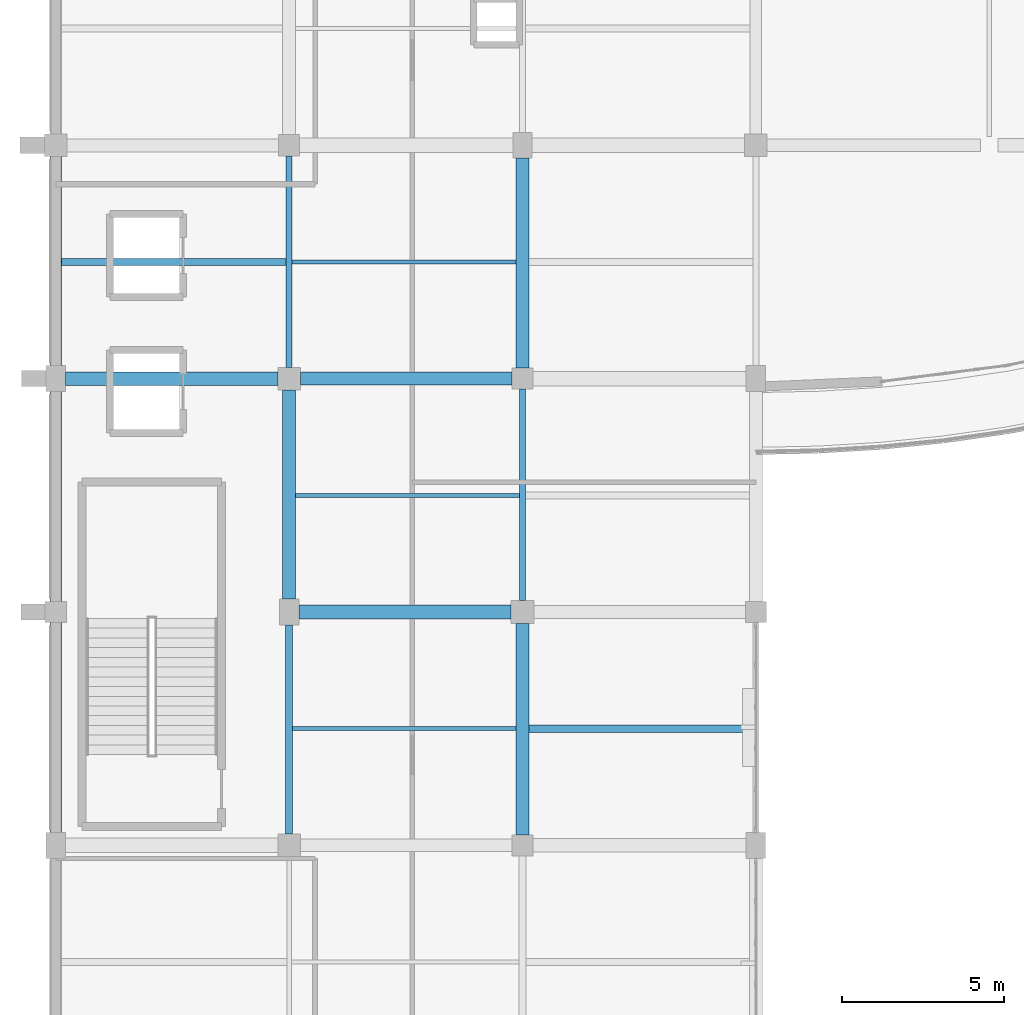
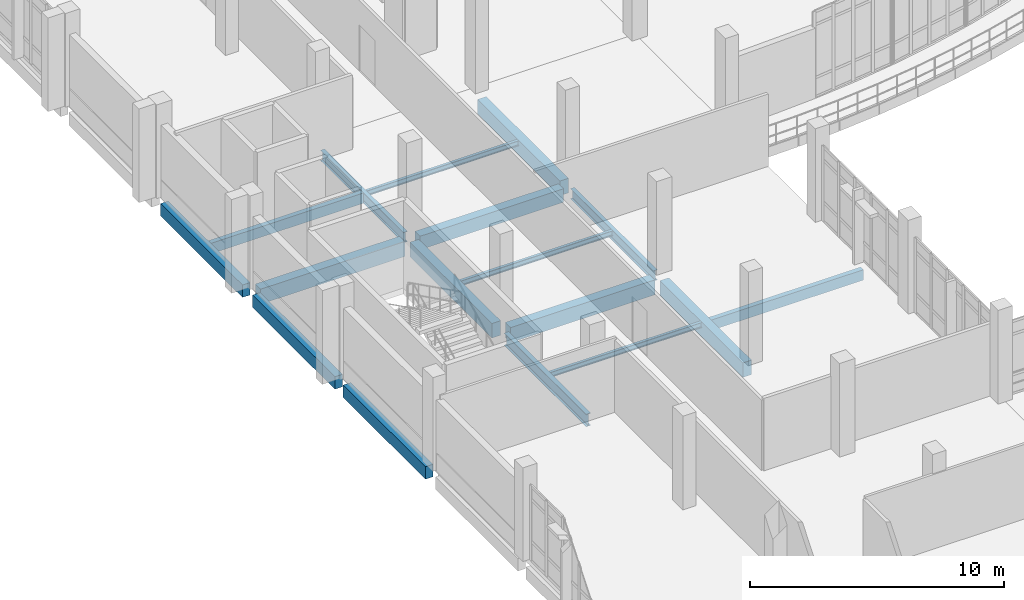
# One storey, part 29 of 116: 17 beams.
"""IFC4 building model written with IfcOpenShell, lengths in metres."""

from ifc_helpers import new_model, si_unit, direction, frame, origin, origin_2d, place, context, subcontext, project, spatial, rectangle, i_section, extrude, material, material_profile, profile_set, type_object, element, save


model = new_model("IFC4")

# Units and contexts
model_context = context("Model", 3, precision=1e-05, world=origin(), true_north=direction((0.0, 1.0)))
body_context = subcontext(model_context, "Body", "Model", "MODEL_VIEW")
ifc_project = project(units=[si_unit("LENGTHUNIT", "METRE"), si_unit("AREAUNIT", "SQUARE_METRE"), si_unit("VOLUMEUNIT", "CUBIC_METRE"), si_unit("PLANEANGLEUNIT", "RADIAN"), si_unit("MASSUNIT", "GRAM", prefix="KILO")], contexts=[model_context])

# Site, building, storey
site_placement = place(None, origin())
site = spatial("IfcSite", under=ifc_project, at=site_placement, CompositionType="ELEMENT")
building_placement = place(site_placement, origin())
building = spatial("IfcBuilding", under=site, at=building_placement, Name="Kalluvel Institute of Natural Sciences", CompositionType="ELEMENT")
storey_placement = place(building_placement, frame((0.0, 0.0, 14.39990234375)))
storey = spatial("IfcBuildingStorey", under=building, at=storey_placement, Name="L03", CompositionType="ELEMENT", Elevation=14.39990234375)

# Beams
ifc_material_1 = material(Name="Steel E350 Grade 350", Category="steel")
ifc_material_profile_1 = material_profile(ifc_material_1, i_section(OverallWidth=0.179931640625, OverallDepth=0.5, WebThickness=0.01025390625, FlangeThickness=0.01708984375, FilletRadius=0.01708984375, at=origin_2d()), Name="ISMB 500")
ifc_profile_set_1 = profile_set([ifc_material_profile_1], Name="Steel E350 Grade 350")
beam_type_1 = type_object("IfcBeamType", Name="BM-ISMB500", PredefinedType="BEAM", material=ifc_profile_set_1)
for number, where, z_axis, x_axis, name in (
    (1, (21.199951171875, 57.550048828125, -0.5498046875), (0.0, 1.0, 0.0), (-1.0, 0.0, 0.0), "L03 girder GIR-L03-NS-X212-Y572"),
    (2, (28.39990234375, 50.35009765625, -0.5498046875), (0.0, 1.0, 0.0), (-1.0, 0.0, 0.0), "L03 girder GIR-L03-NS-X284-Y500"),
):
    element("IfcBeam", number, at=place(storey_placement, frame(where, z_axis=z_axis, x_axis=x_axis)), inside=storey, type_object=beam_type_1, Name=name, PredefinedType="BEAM", context=body_context, shape_type="SweptSolid", body=[
        extrude(i_section(OverallWidth=0.179931640625, OverallDepth=0.5, WebThickness=0.01025390625, FlangeThickness=0.01708984375, FilletRadius=0.01708984375, at=origin_2d()), origin(), (0.0, 0.0, 1.0), 6.52490234375),
    ])
ifc_material_profile_2 = material_profile(ifc_material_1, i_section(OverallWidth=0.2099609375, OverallDepth=0.60009765625, WebThickness=0.011962890625, FlangeThickness=0.020751953125, FilletRadius=0.02001953125, at=origin_2d()), Name="ISMB 600")
ifc_profile_set_2 = profile_set([ifc_material_profile_2], Name="Steel E350 Grade 350")
beam_type_2 = type_object("IfcBeamType", Name="BM-ISMB600", PredefinedType="BEAM", material=ifc_profile_set_2)
beam_1_placement = place(storey_placement, frame((21.199951171875, 43.14990234375, -0.599853515625), z_axis=(0.0, 1.0, 0.0), x_axis=(-1.0, 0.0, 0.0)))
element("IfcBeam", 3, at=beam_1_placement, inside=storey, type_object=beam_type_2, Name="L03 girder GIR-L03-NS-X212-Y428", PredefinedType="BEAM", context=body_context, shape_type="SweptSolid", body=[
    extrude(i_section(OverallWidth=0.2099609375, OverallDepth=0.60009765625, WebThickness=0.011962890625, FlangeThickness=0.020751953125, FilletRadius=0.02001953125, at=origin_2d()), origin(), (0.0, 0.0, 1.0), 6.4501953125),
])
ifc_material_2 = material(Name="Concrete M40", Category="concrete")
ifc_material_profile_3 = material_profile(ifc_material_2, rectangle(XDim=0.39990234375, YDim=0.64990234375, at=origin_2d()), Name="RCB 400x650")
ifc_profile_set_3 = profile_set([ifc_material_profile_3], Name="Concrete M40")
beam_type_3 = type_object("IfcBeamType", Name="BM-RC400x650", PredefinedType="BEAM", material=ifc_profile_set_3)
beam_2_placement = place(storey_placement, frame((21.550048828125, 57.199951171875, -0.625), z_axis=(1.0, 0.0, 0.0), x_axis=(0.0, 1.0, 0.0)))
element("IfcBeam", 4, at=beam_2_placement, inside=storey, type_object=beam_type_3, Name="L03 girder GIR-L03-EW-X212-Y572", PredefinedType="BEAM", context=body_context, shape_type="SweptSolid", body=[
    extrude(rectangle(XDim=0.39990234375, YDim=0.64990234375, at=origin_2d()), origin(), (0.0, 0.0, 1.0), 6.52490234375),
])
ifc_material_profile_4 = material_profile(ifc_material_2, rectangle(XDim=0.39990234375, YDim=0.699951171875, at=origin_2d()), Name="RCB 400x700")
ifc_profile_set_4 = profile_set([ifc_material_profile_4], Name="Concrete M40")
beam_type_4 = type_object("IfcBeamType", Name="BM-RC400x700", PredefinedType="BEAM", material=ifc_profile_set_4)
beam_3_placement = place(storey_placement, frame((21.199951171875, 50.39990234375, -0.64990234375), z_axis=(0.0, 1.0, 0.0), x_axis=(-1.0, 0.0, 0.0)))
element("IfcBeam", 5, at=beam_3_placement, inside=storey, type_object=beam_type_4, Name="L03 girder GIR-L03-NS-X212-Y500", PredefinedType="BEAM", context=body_context, shape_type="SweptSolid", body=[
    extrude(rectangle(XDim=0.39990234375, YDim=0.699951171875, at=origin_2d()), origin(), (0.0, 0.0, 1.0), 6.4501953125),
])
beam_4_placement = place(storey_placement, frame((28.39990234375, 43.125, -0.64990234375), z_axis=(0.0, 1.0, 0.0), x_axis=(-1.0, 0.0, 0.0)))
element("IfcBeam", 6, at=beam_4_placement, inside=storey, type_object=beam_type_4, Name="L03 girder GIR-L03-NS-X284-Y428", PredefinedType="BEAM", context=body_context, shape_type="SweptSolid", body=[
    extrude(rectangle(XDim=0.39990234375, YDim=0.699951171875, at=origin_2d()), origin(), (0.0, 0.0, 1.0), 6.52490234375),
])
beam_5_placement = place(storey_placement, frame((28.39990234375, 57.52490234375, -0.64990234375), z_axis=(0.0, 1.0, 0.0), x_axis=(-1.0, 0.0, 0.0)))
element("IfcBeam", 7, at=beam_5_placement, inside=storey, type_object=beam_type_4, Name="L03 girder GIR-L03-NS-X284-Y572", PredefinedType="BEAM", context=body_context, shape_type="SweptSolid", body=[
    extrude(rectangle(XDim=0.39990234375, YDim=0.699951171875, at=origin_2d()), origin(), (0.0, 0.0, 1.0), 6.47509765625),
])
ifc_material_profile_5 = material_profile(ifc_material_2, rectangle(XDim=0.419921875, YDim=0.719970703125, at=origin_2d()), Name="RCB 420x720")
ifc_profile_set_5 = profile_set([ifc_material_profile_5], Name="Concrete M40")
beam_type_5 = type_object("IfcBeamType", Name="BM-RC420x720", PredefinedType="BEAM", material=ifc_profile_set_5)
for number, where, z_axis, x_axis, name in (
    (8, (21.5, 50.0, -0.659912109375), (1.0, 0.0, 0.0), (0.0, 1.0, 0.0), "L03 girder GIR-L03-EW-X212-Y500"),
    (9, (14.300048828125, 57.199951171875, -0.659912109375), (1.0, 0.0, 0.0), (0.0, 1.0, 0.0), "L03 girder GIR-L03-EW-X140-Y572"),
):
    element("IfcBeam", number, at=place(storey_placement, frame(where, z_axis=z_axis, x_axis=x_axis)), inside=storey, type_object=beam_type_5, Name=name, PredefinedType="BEAM", context=body_context, shape_type="SweptSolid", body=[
        extrude(rectangle(XDim=0.419921875, YDim=0.719970703125, at=origin_2d()), origin(), (0.0, 0.0, 1.0), 6.550048828125),
    ])
ifc_material_profile_6 = material_profile(ifc_material_2, rectangle(XDim=0.35009765625, YDim=0.60009765625, at=origin_2d()), Name="RCB 350x600")
ifc_profile_set_6 = profile_set([ifc_material_profile_6], Name="Concrete M40")
beam_type_6 = type_object("IfcBeamType", Name="SP-RC350x600", PredefinedType="SPANDREL", material=ifc_profile_set_6)
for number, where, z_axis, x_axis, name in (
    (10, (14.0, 43.199951171875, -0.599853515625), (0.0, 1.0, 0.0), (-1.0, 0.0, 0.0), "L03 girder GIR-L03-NS-X140-Y428"),
    (11, (14.0, 50.324951171875, -0.599853515625), (0.0, 1.0, 0.0), (-1.0, 0.0, 0.0), "L03 girder GIR-L03-NS-X140-Y500"),
):
    element("IfcBeam", number, at=place(storey_placement, frame(where, z_axis=z_axis, x_axis=x_axis)), inside=storey, type_object=beam_type_6, Name=name, PredefinedType="SPANDREL", context=body_context, shape_type="SweptSolid", body=[
        extrude(rectangle(XDim=0.35009765625, YDim=0.60009765625, at=origin_2d()), origin(), (0.0, 0.0, 1.0), 6.47509765625),
    ])
beam_6_placement = place(storey_placement, frame((14.0, 57.60009765625, -0.599853515625), z_axis=(0.0, 1.0, 0.0), x_axis=(-1.0, 0.0, 0.0)))
element("IfcBeam", 12, at=beam_6_placement, inside=storey, type_object=beam_type_6, Name="L03 girder GIR-L03-NS-X140-Y572", PredefinedType="SPANDREL", context=body_context, shape_type="SweptSolid", body=[
    extrude(rectangle(XDim=0.35009765625, YDim=0.60009765625, at=origin_2d()), origin(), (0.0, 0.0, 1.0), 6.449951171875),
])
ifc_material_profile_7 = material_profile(ifc_material_2, rectangle(XDim=0.219970703125, YDim=0.5, at=origin_2d()), Name="WAF 220x500")
ifc_profile_set_7 = profile_set([ifc_material_profile_7], Name="Concrete M40")
beam_type_7 = type_object("IfcBeamType", Name="WJ-220x500", PredefinedType="JOIST", material=ifc_profile_set_7)
beam_7_placement = place(storey_placement, frame((28.60009765625, 46.39990234375, -0.5498046875), z_axis=(1.0, 0.0, 0.0), x_axis=(0.0, 1.0, 0.0)))
element("IfcBeam", 13, at=beam_7_placement, inside=storey, type_object=beam_type_7, Name="L03 floor rib RIB-L03-0692", PredefinedType="JOIST", context=body_context, shape_type="SweptSolid", body=[
    extrude(rectangle(XDim=0.219970703125, YDim=0.5, at=origin_2d()), origin(), (0.0, 0.0, 1.0), 6.909912109375),
])
beam_8_placement = place(storey_placement, frame((14.175048828125, 60.800048828125, -0.5498046875), z_axis=(1.0, 0.0, 0.0), x_axis=(0.0, 1.0, 0.0)))
element("IfcBeam", 14, at=beam_8_placement, inside=storey, type_object=beam_type_7, Name="L03 floor rib RIB-L03-0695", PredefinedType="JOIST", context=body_context, shape_type="SweptSolid", body=[
    extrude(rectangle(XDim=0.219970703125, YDim=0.5, at=origin_2d()), origin(), (0.0, 0.0, 1.0), 6.93505859375),
])
ifc_material_profile_8 = material_profile(ifc_material_1, i_section(OverallWidth=0.125, OverallDepth=0.25, WebThickness=0.0068359375, FlangeThickness=0.012451171875, FilletRadius=0.012939453125, at=origin_2d()), Name="ISMB 250")
ifc_profile_set_8 = profile_set([ifc_material_profile_8], Name="Steel E350 Grade 350")
beam_type_8 = type_object("IfcBeamType", Name="WJ-ISMB250", PredefinedType="JOIST", material=ifc_profile_set_8)
beam_9_placement = place(storey_placement, frame((21.304931640625, 46.39990234375, -0.4248046875), z_axis=(1.0, 0.0, 0.0), x_axis=(0.0, 1.0, 0.0)))
element("IfcBeam", 15, at=beam_9_placement, inside=storey, type_object=beam_type_8, Name="L03 floor rib RIB-L03-0691", PredefinedType="JOIST", context=body_context, shape_type="SweptSolid", body=[
    extrude(i_section(OverallWidth=0.125, OverallDepth=0.25, WebThickness=0.0068359375, FlangeThickness=0.012451171875, FilletRadius=0.012939453125, at=origin_2d()), origin(), (0.0, 0.0, 1.0), 6.89501953125),
])
beam_10_placement = place(storey_placement, frame((21.39990234375, 53.60009765625, -0.4248046875), z_axis=(1.0, 0.0, 0.0), x_axis=(0.0, 1.0, 0.0)))
element("IfcBeam", 16, at=beam_10_placement, inside=storey, type_object=beam_type_8, Name="L03 floor rib RIB-L03-0693", PredefinedType="JOIST", context=body_context, shape_type="SweptSolid", body=[
    extrude(i_section(OverallWidth=0.125, OverallDepth=0.25, WebThickness=0.0068359375, FlangeThickness=0.012451171875, FilletRadius=0.012939453125, at=origin_2d()), origin(), (0.0, 0.0, 1.0), 6.91015625),
])
beam_11_placement = place(storey_placement, frame((21.2900390625, 60.800048828125, -0.4248046875), z_axis=(1.0, 0.0, 0.0), x_axis=(0.0, 1.0, 0.0)))
element("IfcBeam", 17, at=beam_11_placement, inside=storey, type_object=beam_type_8, Name="L03 floor rib RIB-L03-0696", PredefinedType="JOIST", context=body_context, shape_type="SweptSolid", body=[
    extrude(i_section(OverallWidth=0.125, OverallDepth=0.25, WebThickness=0.0068359375, FlangeThickness=0.012451171875, FilletRadius=0.012939453125, at=origin_2d()), origin(), (0.0, 0.0, 1.0), 6.909912109375),
])

save(model, "model.ifc")
